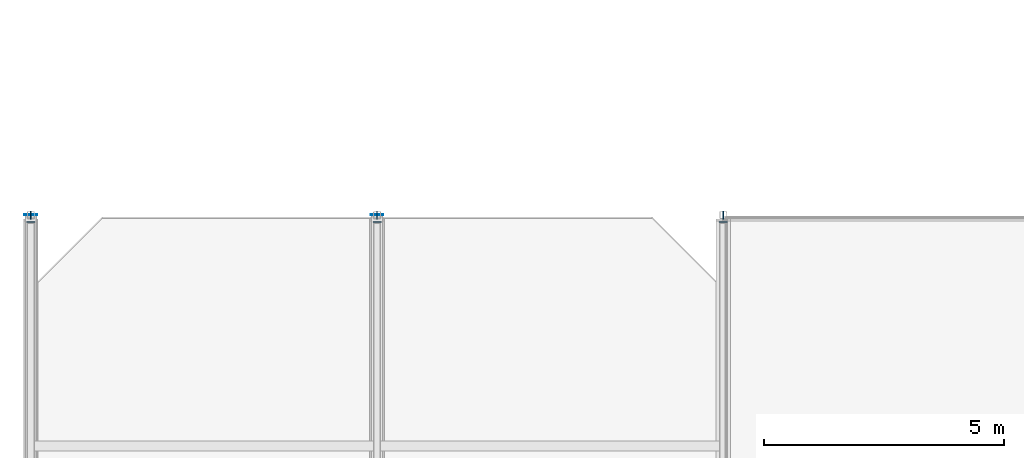
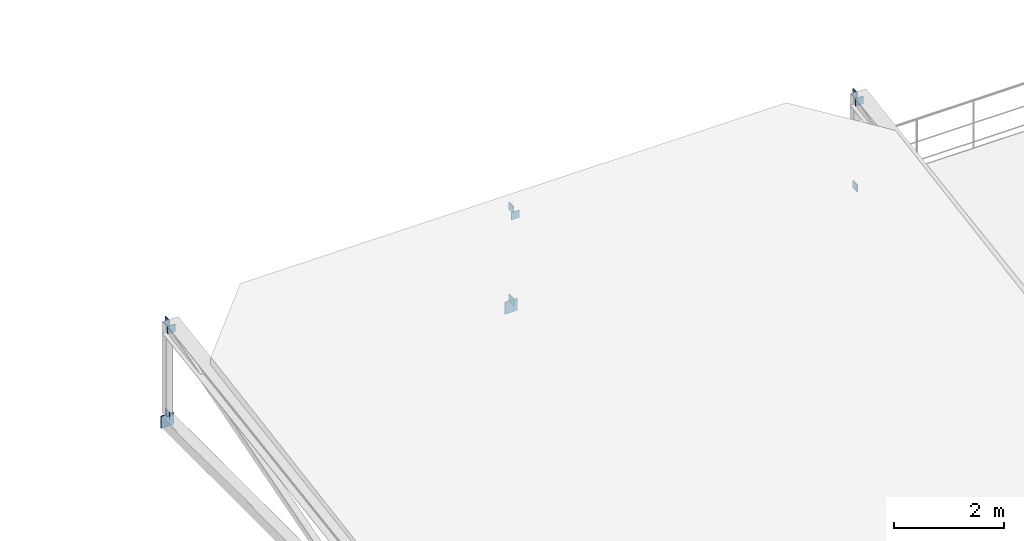
# One storey, part 96 of 136: 11 plates.
"""IFC4 building model written with IfcOpenShell, lengths in metres."""

from ifc_helpers import new_model, si_unit, direction, frame, origin, origin_2d, place, context, subcontext, project, spatial, rectangle, extrude, material, layer, layer_set, type_object, element, save


model = new_model("IFC4")

# Units and contexts
model_context = context("Model", 3, precision=1e-05, world=origin(), true_north=direction((0.0, 1.0)))
body_context = subcontext(model_context, "Body", "Model", "MODEL_VIEW")
ifc_project = project(units=[si_unit("LENGTHUNIT", "METRE"), si_unit("AREAUNIT", "SQUARE_METRE"), si_unit("VOLUMEUNIT", "CUBIC_METRE"), si_unit("PLANEANGLEUNIT", "RADIAN"), si_unit("MASSUNIT", "GRAM", prefix="KILO")], contexts=[model_context])

# Site, building, storey
site_placement = place(None, origin())
site = spatial("IfcSite", under=ifc_project, at=site_placement, CompositionType="ELEMENT")
building_placement = place(site_placement, origin())
building = spatial("IfcBuilding", under=site, at=building_placement, Name="Koriwan Promenade Central Fire Station", CompositionType="ELEMENT")
storey_placement = place(building_placement, frame((0.0, 0.0, 5.39990234375)))
storey = spatial("IfcBuildingStorey", under=building, at=storey_placement, Name="L01", CompositionType="ELEMENT", Elevation=5.39990234375)

# Plates
ifc_material = material(Name="Steel ASTM A572 Grade 50", Category="steel")
ifc_layer_1 = layer(ifc_material, 0.01611328125, Name="Steel ASTM A572 Grade 50")
ifc_layer_set_1 = layer_set([ifc_layer_1], Name="Steel ASTM A572 Grade 50")
plate_type_1 = type_object("IfcPlateType", Name="EndCap_HSS150", PredefinedType="SHEET", material=ifc_layer_set_1)
for number, where, z_axis, x_axis, name in (
    (1, (0.0, 57.60009765625, -0.09033203125), (0.0, 0.0, 1.0), (1.0, 0.0, 0.0), "V4 west pavilion truss 1 ridge vertical end cap 1"),
    (2, (0.0, 57.60009765625, 1.945556640625), (0.0, 0.0, 1.0), (1.0, 0.0, 0.0), "V4 west pavilion truss 1 ridge vertical end cap 2"),
    (3, (0.0, 57.457763671875, 1.8798828125), (0.0, 0.0, 1.0), (0.0, 1.0, 0.0), "V4 west pavilion truss 1 web diagonal end cap 2"),
    (4, (7.199951171875, 57.60009765625, -0.09033203125), (0.0, 0.0, 1.0), (1.0, 0.0, 0.0), "V4 west pavilion truss 2 ridge vertical end cap 1"),
    (5, (7.199951171875, 57.60009765625, 1.945556640625), (0.0, 0.0, 1.0), (1.0, 0.0, 0.0), "V4 west pavilion truss 2 ridge vertical end cap 2"),
    (6, (7.199951171875, 57.457763671875, 1.8798828125), (0.0, 0.0, 1.0), (0.0, 1.0, 0.0), "V4 west pavilion truss 2 web diagonal end cap 2"),
    (7, (14.39990234375, 57.60009765625, -0.09033203125), (0.0, 0.0, 1.0), (1.0, 0.0, 0.0), "V4 west pavilion truss 3 ridge vertical end cap 1"),
    (8, (14.39990234375, 57.60009765625, 1.945556640625), (0.0, 0.0, 1.0), (1.0, 0.0, 0.0), "V4 west pavilion truss 3 ridge vertical end cap 2"),
    (9, (14.39990234375, 57.457763671875, 1.8798828125), (0.0, 0.0, 1.0), (0.0, 1.0, 0.0), "V4 west pavilion truss 3 web diagonal end cap 2"),
):
    element("IfcPlate", number, at=place(storey_placement, frame(where, z_axis=z_axis, x_axis=x_axis)), inside=storey, type_object=plate_type_1, Name=name, PredefinedType="SHEET", context=body_context, shape_type="SweptSolid", body=[
        extrude(rectangle(XDim=0.01611328125, YDim=0.1650390625, at=origin_2d()), origin(), (0.0, 0.0, 1.0), 0.1650390625),
    ])
ifc_layer_2 = layer(ifc_material, 0.02001953125, Name="Steel ASTM A572 Grade 50")
ifc_layer_set_2 = layer_set([ifc_layer_2], Name="Steel ASTM A572 Grade 50")
plate_type_2 = type_object("IfcPlateType", Name="EndCap_HSS250", PredefinedType="SHEET", material=ifc_layer_set_2)
for number, where, z_axis, x_axis, name in (
    (10, (0.0, 57.610107421875, -0.2822265625), (0.0, 0.0, 1.0), (0.0, 1.0, 0.0), "V4 west pavilion truss 1 north bottom chord end cap 2"),
    (11, (7.199951171875, 57.610107421875, -0.2822265625), (0.0, 0.0, 1.0), (0.0, 1.0, 0.0), "V4 west pavilion truss 2 north bottom chord end cap 2"),
):
    element("IfcPlate", number, at=place(storey_placement, frame(where, z_axis=z_axis, x_axis=x_axis)), inside=storey, type_object=plate_type_2, Name=name, PredefinedType="SHEET", context=body_context, shape_type="SweptSolid", body=[
        extrude(rectangle(XDim=0.02001953125, YDim=0.264892578125, at=origin_2d()), origin(), (0.0, 0.0, 1.0), 0.264892578125),
    ])

save(model, "model.ifc")
